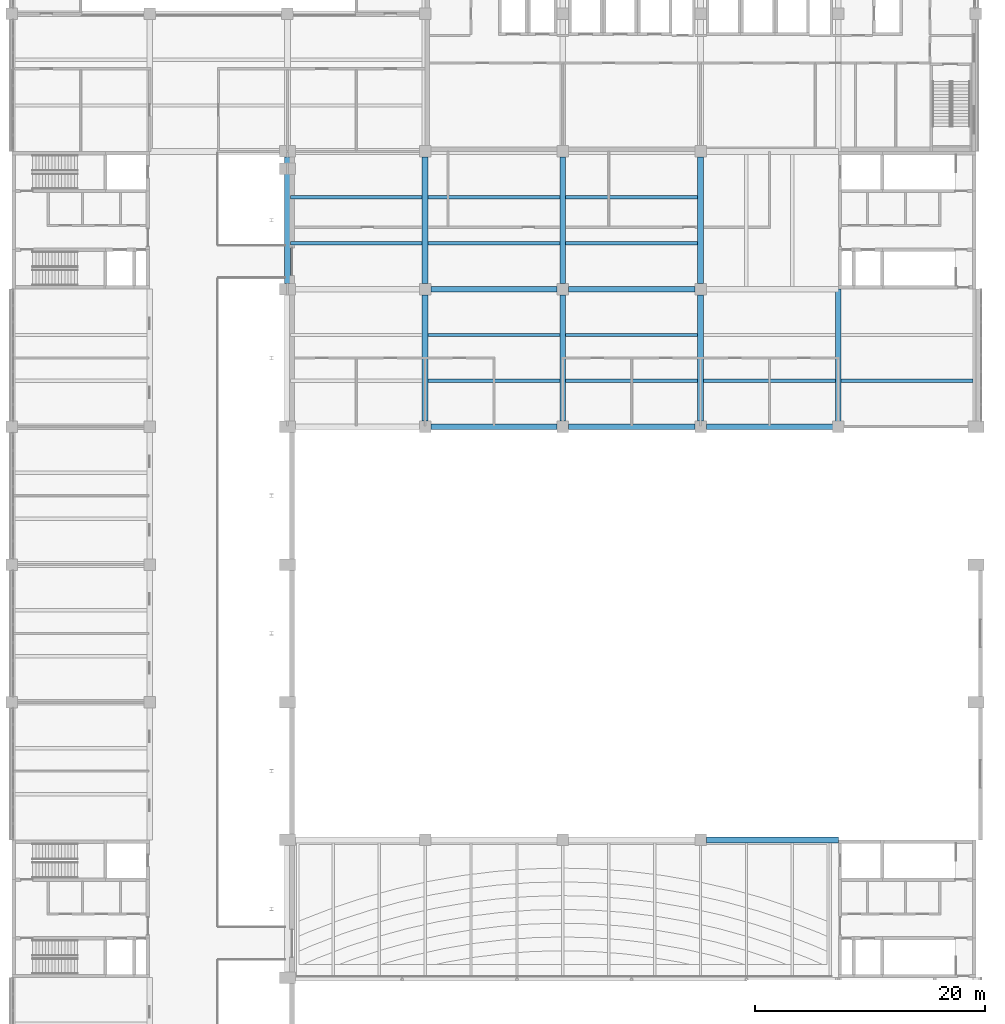
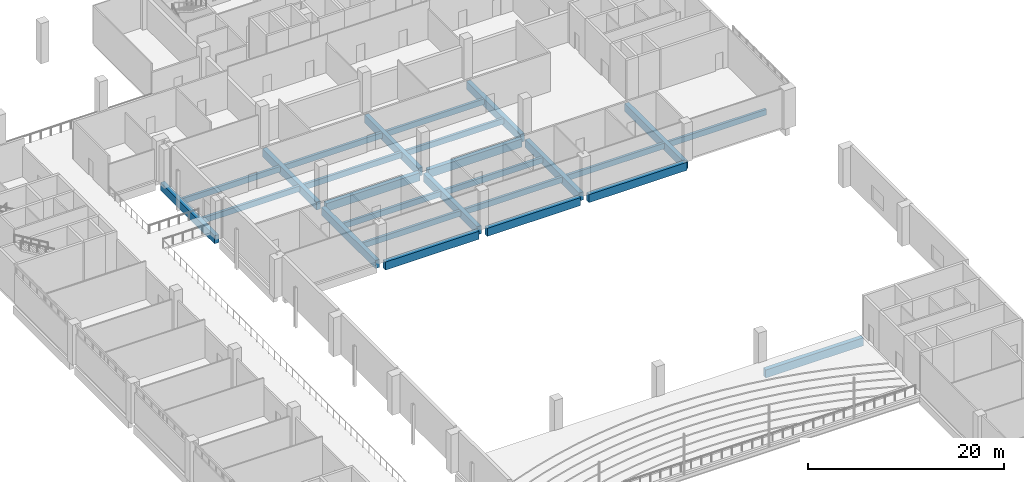
# One storey, part 35 of 69: 26 beams.
"""IFC4 building model written with IfcOpenShell, lengths in metres."""

import ifcopenshell
import ifcopenshell.guid

model = None  # the IFC model being written
_history = None  # IfcOwnerHistory: only IFC2X3 demands one
_inside = {}  # id of a spatial element -> (the spatial element, [elements in it])
_under = {}  # id of a project, library or spatial element -> (it, [spatial elements below it])
_declared = {}  # id of a project -> (the project, [libraries it declares])
_typed = {}  # id of a type object -> (the type object, [elements of that type])
_made_of = {}  # id of a material, layer set ... -> (it, [elements and type objects made of it])


def new_model(schema):
    """Start an empty IFC model of exactly this schema.

    Asked for "IFC4X3", IfcOpenShell would pick the latest addendum, in which some entities
    have other attributes; the version numbers below select the first issue.
    IFC2X3 requires an IfcOwnerHistory on every rooted entity: one is made here for all.
    """
    global model, _history
    if schema == "IFC4X3":
        model = ifcopenshell.file(schema_version=(4, 3, 0, 0))
    else:
        model = ifcopenshell.file(schema=schema)
    _inside.clear()
    _under.clear()
    _declared.clear()
    _typed.clear()
    _made_of.clear()
    _history = None
    if model.schema == "IFC2X3":
        org = make("IfcOrganization", Name="unknown")
        user = make(
            "IfcPersonAndOrganization",
            ThePerson=make("IfcPerson", FamilyName="unknown"),
            TheOrganization=org,
        )
        app = make(
            "IfcApplication",
            ApplicationDeveloper=org,
            Version="unknown",
            ApplicationFullName="unknown",
            ApplicationIdentifier="unknown",
        )
        _history = make(
            "IfcOwnerHistory",
            OwningUser=user,
            OwningApplication=app,
            ChangeAction="ADDED",
            CreationDate=0,
        )
    return model


def make(cls, **values):
    """One entity of the class cls with the attributes given. An attribute that is None is left unset."""
    return model.create_entity(
        cls, **{name: value for name, value in values.items() if value is not None}
    )


def rooted(cls, **values):
    """An entity with a GlobalId (a new one), such as an element, a storey or a relation."""
    return make(cls, GlobalId=ifcopenshell.guid.new(), OwnerHistory=_history, **values)


def si_unit(unit_type, name, prefix=None):
    """IfcSIUnit, for example si_unit("LENGTHUNIT", "METRE", prefix="MILLI")."""
    return make("IfcSIUnit", UnitType=unit_type, Prefix=prefix, Name=name)


def assignment(units):
    """IfcUnitAssignment: the units of a project."""
    return None if units is None else make("IfcUnitAssignment", Units=units)


def point(xyz):
    """IfcCartesianPoint."""
    return None if xyz is None else make("IfcCartesianPoint", Coordinates=xyz)


def direction(xyz):
    """IfcDirection."""
    return None if xyz is None else make("IfcDirection", DirectionRatios=xyz)


def frame(location, z_axis=None, x_axis=None):
    """IfcAxis2Placement3D, a coordinate frame: its origin and axes. An axis left out is left unset."""
    return make(
        "IfcAxis2Placement3D",
        Location=point(location),
        Axis=direction(z_axis),
        RefDirection=direction(x_axis),
    )


def frame_2d(location, x_axis=None):
    """IfcAxis2Placement2D, a coordinate frame in the plane: its origin and x axis."""
    return make(
        "IfcAxis2Placement2D", Location=point(location), RefDirection=direction(x_axis)
    )


def origin():
    """The frame at (0, 0, 0) with its axes left unset."""
    return frame((0.0, 0.0, 0.0))


def origin_2d():
    """The frame at (0, 0) in the plane with its x axis left unset."""
    return frame_2d((0.0, 0.0))


def place(relative_to, where):
    """IfcLocalPlacement: puts the frame where relative to a parent placement (None: the world)."""
    return make(
        "IfcLocalPlacement", PlacementRelTo=relative_to, RelativePlacement=where
    )


def context(
    kind, dimensions, precision=None, world=None, true_north=None, identifier=None
):
    """IfcGeometricRepresentationContext, for example the 3D "Model" context."""
    return make(
        "IfcGeometricRepresentationContext",
        ContextIdentifier=identifier,
        ContextType=kind,
        CoordinateSpaceDimension=dimensions,
        Precision=precision,
        WorldCoordinateSystem=world,
        TrueNorth=true_north,
    )


def subcontext(parent, identifier, kind, view, scale=None):
    """IfcGeometricRepresentationSubContext, for example "Body" below "Model"."""
    return make(
        "IfcGeometricRepresentationSubContext",
        ContextIdentifier=identifier,
        ContextType=kind,
        ParentContext=parent,
        TargetScale=scale,
        TargetView=view,
    )


def project(units=None, contexts=None):
    """IfcProject with its units and contexts."""
    return rooted(
        "IfcProject",
        Name="project",
        RepresentationContexts=contexts,
        UnitsInContext=assignment(units),
    )


def spatial(cls, under=None, at=None, **own):
    """A site, building, storey or space (cls), placed at a placement, below another one or the project."""
    s = rooted(cls, ObjectPlacement=at, **own)
    if under is not None:
        _under.setdefault(under.id(), (under, []))[1].append(s)
    return s


def profile(cls, at=None, kind="AREA", **sizes):
    """A parametric profile (cls). Its sizes go by their IFC names, for example OverallWidth=200.0."""
    return make(cls, ProfileType=kind, Position=at, **sizes)


def rectangle(**sizes):
    """IfcRectangleProfileDef."""
    return profile("IfcRectangleProfileDef", **sizes)


def extrude(swept, where, along, depth):
    """IfcExtrudedAreaSolid: the profile swept, set in the frame where, extruded along a direction by depth."""
    return make(
        "IfcExtrudedAreaSolid",
        SweptArea=swept,
        Position=where,
        ExtrudedDirection=direction(along),
        Depth=depth,
    )


def shape(context_of_items, identifier, shape_type, items):
    """IfcShapeRepresentation: the items that make up one representation, for example the "Body"."""
    return make(
        "IfcShapeRepresentation",
        ContextOfItems=context_of_items,
        RepresentationIdentifier=identifier,
        RepresentationType=shape_type,
        Items=items,
    )


def material(Name=None, Category=None):
    """IfcMaterial."""
    return make("IfcMaterial", Name=Name, Category=Category)


def material_profile(
    of_material, cross_section, Name=None, Category=None, Priority=None
):
    """IfcMaterialProfile: a cross section and its material."""
    return make(
        "IfcMaterialProfile",
        Name=Name,
        Material=of_material,
        Profile=cross_section,
        Priority=Priority,
        Category=Category,
    )


def profile_set(profiles, Name=None, composite=None):
    """IfcMaterialProfileSet."""
    return make(
        "IfcMaterialProfileSet",
        Name=Name,
        MaterialProfiles=profiles,
        CompositeProfile=composite,
    )


def made_of(thing, what):
    """Note that an element or type object is made of a material, layer set ...; save() writes the relation."""
    if what is not None:
        _made_of.setdefault(what.id(), (what, []))[1].append(thing)
    return thing


def type_object(cls, material=None, **own):
    """A type object (cls), such as IfcWallType, which elements share."""
    return made_of(rooted(cls, **own), material)


def element(
    cls,
    number,
    at=None,
    inside=None,
    cuts=None,
    type_object=None,
    material=None,
    context=None,
    identifier="Body",
    shape_type=None,
    held_by="IfcProductDefinitionShape",
    body=None,
    shapes=None,
    **own,
):
    """One element of the class cls, such as IfcWall. Its Tag is "e" and its number.

    at: its placement. inside: the storey or other place that contains it. cuts: it is an
    opening in that element (IfcRelVoidsElement). A single representation is given by context,
    identifier, shape_type and body (its items); several are given by shapes. held_by: the class
    of the entity that holds the representations. save() writes the other relations.
    """
    e = rooted(cls, Tag="e%d" % number, ObjectPlacement=at, **own)
    if body is not None:
        shapes = [shape(context, identifier, shape_type, body)]
    if shapes is not None:
        e.Representation = make(held_by, Representations=shapes)
    if inside is not None:
        _inside.setdefault(inside.id(), (inside, []))[1].append(e)
    if cuts is not None:
        rooted(
            "IfcRelVoidsElement", RelatingBuildingElement=cuts, RelatedOpeningElement=e
        )
    if type_object is not None:
        _typed.setdefault(type_object.id(), (type_object, []))[1].append(e)
    return made_of(e, material)


def aggregate(whole, parts):
    """IfcRelAggregates: a whole, such as a stair, and the parts it consists of."""
    return rooted("IfcRelAggregates", RelatingObject=whole, RelatedObjects=parts)


def save(model, path):
    """Write the relations noted so far, then the file.

    IfcRelAggregates (storeys below a building ...), IfcRelContainedInSpatialStructure (elements
    in a storey), IfcRelDefinesByType, IfcRelAssociatesMaterial and IfcRelDeclares: one each for
    every whole, place, type object, material and project.
    """
    for whole, parts in _under.values():
        aggregate(whole, parts)
    for where, things in _inside.values():
        rooted(
            "IfcRelContainedInSpatialStructure",
            RelatedElements=things,
            RelatingStructure=where,
        )
    for kind, things in _typed.values():
        rooted("IfcRelDefinesByType", RelatedObjects=things, RelatingType=kind)
    for what, things in _made_of.values():
        rooted("IfcRelAssociatesMaterial", RelatedObjects=things, RelatingMaterial=what)
    for by, libraries in _declared.values():
        rooted("IfcRelDeclares", RelatingContext=by, RelatedDefinitions=libraries)
    model.write(path)


model = new_model("IFC4")

# Units and contexts
model_context = context("Model", 3, precision=1e-05, world=origin(), true_north=direction((0.0, 1.0)))
body_context = subcontext(model_context, "Body", "Model", "MODEL_VIEW")
ifc_project = project(units=[si_unit("LENGTHUNIT", "METRE"), si_unit("AREAUNIT", "SQUARE_METRE"), si_unit("VOLUMEUNIT", "CUBIC_METRE"), si_unit("PLANEANGLEUNIT", "RADIAN"), si_unit("MASSUNIT", "GRAM", prefix="KILO")], contexts=[model_context])

# Site, building, storey
site_placement = place(None, origin())
site = spatial("IfcSite", under=ifc_project, at=site_placement, CompositionType="ELEMENT")
building_placement = place(site_placement, origin())
building = spatial("IfcBuilding", under=site, at=building_placement, Name="Lilac Gate Convention Centre", CompositionType="ELEMENT")
storey_placement = place(building_placement, frame((0.0, 0.0, 12.0)))
storey = spatial("IfcBuildingStorey", under=building, at=storey_placement, Name="L02", CompositionType="ELEMENT", Elevation=12.0)

# Beams
ifc_material = material(Name="Concrete C40", Category="concrete")
ifc_material_profile_1 = material_profile(ifc_material, rectangle(XDim=0.5, YDim=1.0, at=origin_2d()), Name="RC 500x1000")
ifc_profile_set_1 = profile_set([ifc_material_profile_1], Name="Concrete C40")
beam_type_1 = type_object("IfcBeamType", Name="Primary beam 500x1000 C40", PredefinedType="BEAM", material=ifc_profile_set_1)
beam_1_placement = place(storey_placement, frame((66.5, 162.0, -0.75), z_axis=(1.0, 0.0, 0.0), x_axis=(0.0, 1.0, 0.0)))
element("IfcBeam", 1, at=beam_1_placement, inside=storey, type_object=beam_type_1, Name="RB1 L02 6/M-7/M", PredefinedType="BEAM", context=body_context, shape_type="SweptSolid", body=[
    extrude(rectangle(XDim=0.5, YDim=1.0, at=origin_2d()), origin(), (0.0, 0.0, 1.0), 11.5),
])
for number, where, z_axis, x_axis, name in (
    (2, (42.5, 198.0, -0.75), (1.0, 0.0, 0.0), (0.0, 1.0, 0.0), "RB1 L02 4/Q-5/Q"),
    (3, (54.5, 198.0, -0.75), (1.0, 0.0, 0.0), (0.0, 1.0, 0.0), "RB1 L02 5/Q-6/Q"),
):
    element("IfcBeam", number, at=place(storey_placement, frame(where, z_axis=z_axis, x_axis=x_axis)), inside=storey, type_object=beam_type_1, Name=name, PredefinedType="BEAM", context=body_context, shape_type="SweptSolid", body=[
        extrude(rectangle(XDim=0.5, YDim=1.0, at=origin_2d()), origin(), (0.0, 0.0, 1.0), 11.0),
    ])
beam_2_placement = place(storey_placement, frame((66.5, 198.0, -0.75), z_axis=(1.0, 0.0, 0.0), x_axis=(0.0, 1.0, 0.0)))
element("IfcBeam", 4, at=beam_2_placement, inside=storey, type_object=beam_type_1, Name="RB1 L02 6/Q-7/Q", PredefinedType="BEAM", context=body_context, shape_type="SweptSolid", body=[
    extrude(rectangle(XDim=0.5, YDim=1.0, at=origin_2d()), origin(), (0.0, 0.0, 1.0), 11.5),
])
for number, where, z_axis, x_axis, name in (
    (5, (42.5, 210.0, -0.75), (1.0, 0.0, 0.0), (0.0, 1.0, 0.0), "RB1 L02 4/R-5/R"),
    (6, (54.5, 210.0, -0.75), (1.0, 0.0, 0.0), (0.0, 1.0, 0.0), "RB1 L02 5/R-6/R"),
    (7, (30.0, 210.5, -0.75), (0.0, 1.0, 0.0), (-1.0, 0.0, 0.0), "RB1 L02 3/R-3/S"),
    (8, (42.0, 198.5, -0.75), (0.0, 1.0, 0.0), (-1.0, 0.0, 0.0), "RB1 L02 4/Q-4/R"),
    (9, (42.0, 210.5, -0.75), (0.0, 1.0, 0.0), (-1.0, 0.0, 0.0), "RB1 L02 4/R-4/S"),
    (10, (54.0, 198.5, -0.75), (0.0, 1.0, 0.0), (-1.0, 0.0, 0.0), "RB1 L02 5/Q-5/R"),
    (11, (54.0, 210.5, -0.75), (0.0, 1.0, 0.0), (-1.0, 0.0, 0.0), "RB1 L02 5/R-5/S"),
    (12, (66.0, 198.5, -0.75), (0.0, 1.0, 0.0), (-1.0, 0.0, 0.0), "RB1 L02 6/Q-6/R"),
    (13, (66.0, 210.5, -0.75), (0.0, 1.0, 0.0), (-1.0, 0.0, 0.0), "RB1 L02 6/R-6/S"),
):
    element("IfcBeam", number, at=place(storey_placement, frame(where, z_axis=z_axis, x_axis=x_axis)), inside=storey, type_object=beam_type_1, Name=name, PredefinedType="BEAM", context=body_context, shape_type="SweptSolid", body=[
        extrude(rectangle(XDim=0.5, YDim=1.0, at=origin_2d()), origin(), (0.0, 0.0, 1.0), 11.0),
    ])
beam_3_placement = place(storey_placement, frame((78.0, 198.0, -0.75), z_axis=(0.0, 1.0, 0.0), x_axis=(-1.0, 0.0, 0.0)))
element("IfcBeam", 14, at=beam_3_placement, inside=storey, type_object=beam_type_1, Name="RB1 L02 7/Q-7/R", PredefinedType="BEAM", context=body_context, shape_type="SweptSolid", body=[
    extrude(rectangle(XDim=0.5, YDim=1.0, at=origin_2d()), origin(), (0.0, 0.0, 1.0), 12.0),
])
ifc_material_profile_2 = material_profile(ifc_material, rectangle(XDim=0.300048828125, YDim=0.699951171875, at=origin_2d()), Name="RC 300x700")
ifc_profile_set_2 = profile_set([ifc_material_profile_2], Name="Concrete C40")
beam_type_2 = type_object("IfcBeamType", Name="Secondary beam 300x700 C40", PredefinedType="BEAM", material=ifc_profile_set_2)
for number, where, z_axis, x_axis, name in (
    (15, (30.25, 214.0, -0.60009765625), (1.0, 0.0, 0.0), (0.0, 1.0, 0.0), "RB2 L02 bay 3/R"),
    (16, (30.25, 218.0, -0.60009765625), (1.0, 0.0, 0.0), (0.0, 1.0, 0.0), "RB2 L02 bay 3/R"),
    (17, (42.25, 202.0, -0.60009765625), (1.0, 0.0, 0.0), (0.0, 1.0, 0.0), "RB2 L02 bay 4/Q"),
    (18, (42.25, 206.0, -0.60009765625), (1.0, 0.0, 0.0), (0.0, 1.0, 0.0), "RB2 L02 bay 4/Q"),
    (19, (42.25, 214.0, -0.60009765625), (1.0, 0.0, 0.0), (0.0, 1.0, 0.0), "RB2 L02 bay 4/R"),
    (20, (42.25, 218.0, -0.60009765625), (1.0, 0.0, 0.0), (0.0, 1.0, 0.0), "RB2 L02 bay 4/R"),
    (21, (54.25, 202.0, -0.60009765625), (1.0, 0.0, 0.0), (0.0, 1.0, 0.0), "RB2 L02 bay 5/Q"),
    (22, (54.25, 206.0, -0.60009765625), (1.0, 0.0, 0.0), (0.0, 1.0, 0.0), "RB2 L02 bay 5/Q"),
    (23, (54.25, 214.0, -0.60009765625), (1.0, 0.0, 0.0), (0.0, 1.0, 0.0), "RB2 L02 bay 5/R"),
    (24, (54.25, 218.0, -0.60009765625), (1.0, 0.0, 0.0), (0.0, 1.0, 0.0), "RB2 L02 bay 5/R"),
    (25, (66.25, 202.0, -0.60009765625), (1.0, 0.0, 0.0), (0.0, 1.0, 0.0), "RB2 L02 bay 6/Q"),
    (26, (78.25, 202.0, -0.60009765625), (1.0, 0.0, 0.0), (0.0, 1.0, 0.0), "RB2 L02 bay 7/Q"),
):
    element("IfcBeam", number, at=place(storey_placement, frame(where, z_axis=z_axis, x_axis=x_axis)), inside=storey, type_object=beam_type_2, Name=name, PredefinedType="BEAM", context=body_context, shape_type="SweptSolid", body=[
        extrude(rectangle(XDim=0.300048828125, YDim=0.699951171875, at=origin_2d()), origin(), (0.0, 0.0, 1.0), 11.5),
    ])

save(model, "model.ifc")
